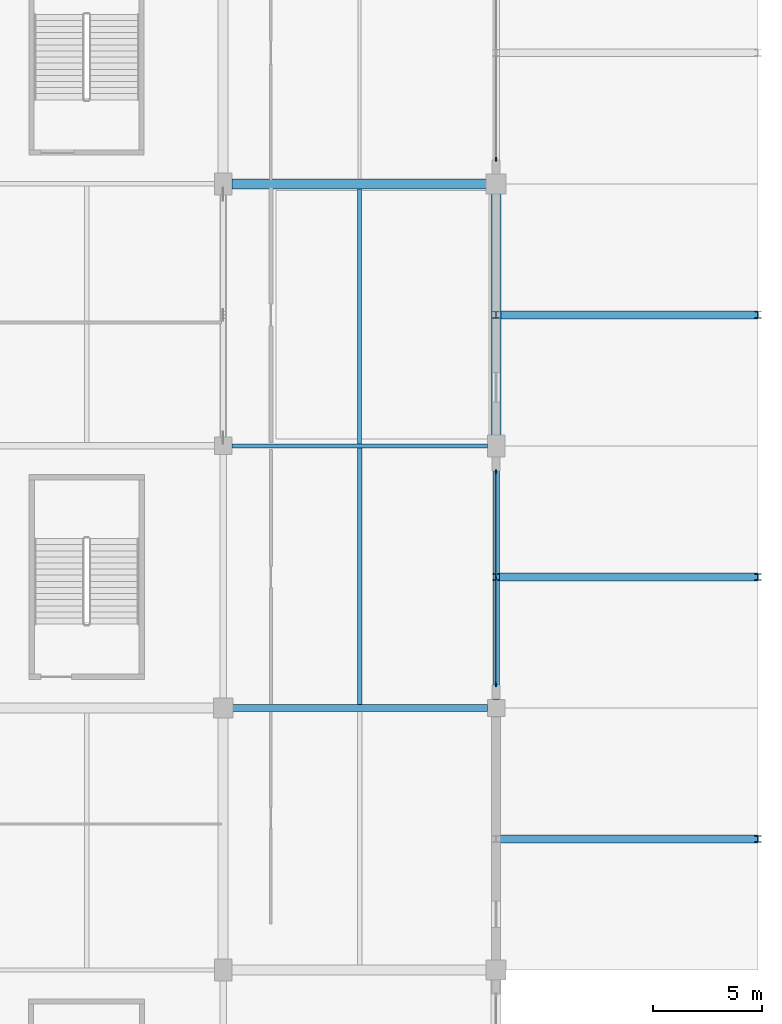
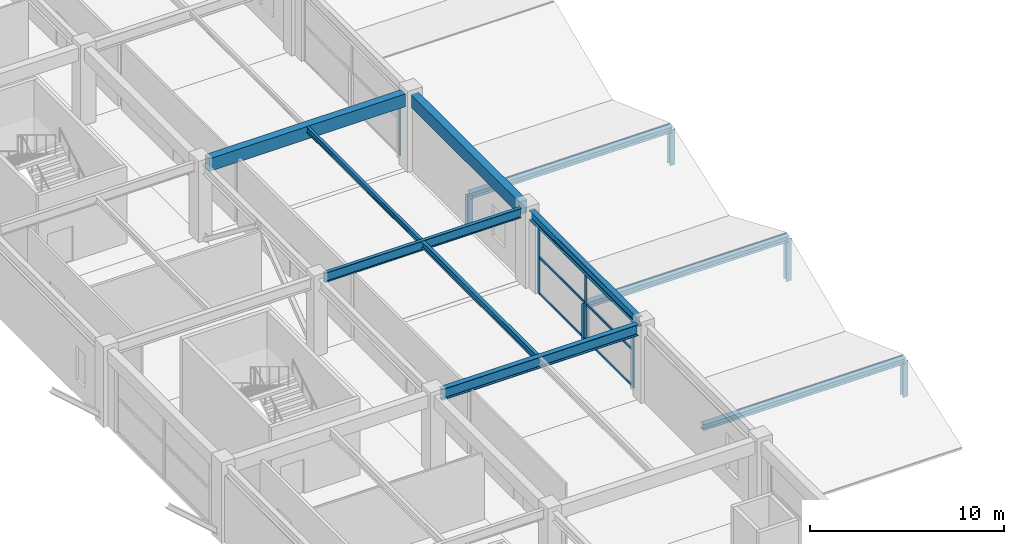
# One storey, part 37 of 116: 18 members, 7 beams, 2 elements without a shape of their own.
"""IFC4 building model written with IfcOpenShell, lengths in metres."""

from ifc_helpers import new_model, si_unit, direction, frame, origin, origin_2d, place, context, subcontext, project, spatial, rectangle, i_section, extrude, material, layer, layer_set, material_profile, profile_set, type_object, element, aggregate, save


model = new_model("IFC4")

# Units and contexts
model_context = context("Model", 3, precision=1e-05, world=origin(), true_north=direction((0.0, 1.0)))
body_context = subcontext(model_context, "Body", "Model", "MODEL_VIEW")
ifc_project = project(units=[si_unit("LENGTHUNIT", "METRE"), si_unit("AREAUNIT", "SQUARE_METRE"), si_unit("VOLUMEUNIT", "CUBIC_METRE"), si_unit("PLANEANGLEUNIT", "RADIAN"), si_unit("MASSUNIT", "GRAM", prefix="KILO")], contexts=[model_context])

# Site, building, storey
site_placement = place(None, origin())
site = spatial("IfcSite", under=ifc_project, at=site_placement, CompositionType="ELEMENT")
building_placement = place(site_placement, origin())
building = spatial("IfcBuilding", under=site, at=building_placement, Name="Kazenohara Klinker Stadium", CompositionType="ELEMENT")
storey_placement = place(building_placement, frame((0.0, 0.0, 10.199951171875)))
storey = spatial("IfcBuildingStorey", under=building, at=storey_placement, Name="L02", CompositionType="ELEMENT", Elevation=10.199951171875)

# Beams
ifc_material_1 = material(Name="Steel S355", Category="steel")
ifc_material_profile_1 = material_profile(ifc_material_1, i_section(OverallWidth=0.199951171875, OverallDepth=0.39990234375, WebThickness=0.008056640625, FlangeThickness=0.012939453125, FilletRadius=0.012939453125, at=origin_2d()), Name="H-400x200x8x13")
ifc_profile_set_1 = profile_set([ifc_material_profile_1], Name="Steel S355")
beam_type_1 = type_object("IfcBeamType", Name="BM-JST03", PredefinedType="JOIST", material=ifc_profile_set_1)
beam_1_placement = place(storey_placement, frame((193.75, 48.14990234375, 4.6201171875), z_axis=(0.0, 1.0, 0.0), x_axis=(-1.0, 0.0, 0.0)))
element("IfcBeam", 1, at=beam_1_placement, inside=storey, type_object=beam_type_1, Name="Secondary floor joist SJ03 L02 16/E", PredefinedType="JOIST", context=body_context, shape_type="SweptSolid", body=[
    extrude(i_section(OverallWidth=0.199951171875, OverallDepth=0.39990234375, WebThickness=0.008056640625, FlangeThickness=0.012939453125, FilletRadius=0.012939453125, at=origin_2d()), origin(), (0.0, 0.0, 1.0), 11.75),
])
ifc_material_profile_2 = material_profile(ifc_material_1, i_section(OverallWidth=0.175048828125, OverallDepth=0.35009765625, WebThickness=0.007080078125, FlangeThickness=0.010986328125, FilletRadius=0.012939453125, at=origin_2d()), Name="H-350x175x7x11")
ifc_profile_set_2 = profile_set([ifc_material_profile_2], Name="Steel S355")
beam_type_2 = type_object("IfcBeamType", Name="BM-JST04", PredefinedType="JOIST", material=ifc_profile_set_2)
beam_2_placement = place(storey_placement, frame((193.75, 60.10009765625, 4.64501953125), z_axis=(0.0, 1.0, 0.0), x_axis=(-1.0, 0.0, 0.0)))
element("IfcBeam", 2, at=beam_2_placement, inside=storey, type_object=beam_type_2, Name="Secondary floor joist SJ04 L02 16/F", PredefinedType="JOIST", context=body_context, shape_type="SweptSolid", body=[
    extrude(i_section(OverallWidth=0.175048828125, OverallDepth=0.35009765625, WebThickness=0.007080078125, FlangeThickness=0.010986328125, FilletRadius=0.012939453125, at=origin_2d()), origin(), (0.0, 0.0, 1.0), 11.6748046875),
])
ifc_material_2 = material(Name="Concrete C40/50", Category="concrete")
ifc_material_profile_3 = material_profile(ifc_material_2, rectangle(XDim=0.449951171875, YDim=0.800048828125, at=origin_2d()), Name="RC-BM-450x800")
ifc_profile_set_3 = profile_set([ifc_material_profile_3], Name="Concrete C40/50")
beam_type_3 = type_object("IfcBeamType", Name="BM-RC03", PredefinedType="BEAM", material=ifc_profile_set_3)
beam_3_placement = place(storey_placement, frame((187.89990234375, 72.0, 4.420166015625), z_axis=(1.0, 0.0, 0.0), x_axis=(0.0, 1.0, 0.0)))
element("IfcBeam", 3, at=beam_3_placement, inside=storey, type_object=beam_type_3, Name="Primary girder BG03 L02 16-17/G", PredefinedType="BEAM", context=body_context, shape_type="SweptSolid", body=[
    extrude(rectangle(XDim=0.449951171875, YDim=0.800048828125, at=origin_2d()), origin(), (0.0, 0.0, 1.0), 11.68017578125),
])
beam_4_placement = place(storey_placement, frame((200.0, 60.419921875, 4.420166015625), z_axis=(0.0, 1.0, 0.0), x_axis=(-1.0, 0.0, 0.0)))
element("IfcBeam", 4, at=beam_4_placement, inside=storey, type_object=beam_type_3, Name="Primary girder BG03 L02 17/F-G", PredefinedType="BEAM", context=body_context, shape_type="SweptSolid", body=[
    extrude(rectangle(XDim=0.449951171875, YDim=0.800048828125, at=origin_2d()), origin(), (0.0, 0.0, 1.0), 11.16015625),
])
ifc_material_profile_4 = material_profile(ifc_material_1, i_section(OverallWidth=0.300048828125, OverallDepth=0.699951171875, WebThickness=0.012939453125, FlangeThickness=0.02392578125, FilletRadius=0.02197265625, at=origin_2d()), Name="H-700x300x13x24")
ifc_profile_set_4 = profile_set([ifc_material_profile_4], Name="Steel S355")
beam_type_4 = type_object("IfcBeamType", Name="BM-ST03", PredefinedType="BEAM", material=ifc_profile_set_4)
beam_5_placement = place(storey_placement, frame((187.919921875, 48.0, 4.469970703125), z_axis=(1.0, 0.0, 0.0), x_axis=(0.0, 1.0, 0.0)))
element("IfcBeam", 5, at=beam_5_placement, inside=storey, type_object=beam_type_4, Name="Primary girder SB03 L02 16-17/E", PredefinedType="BEAM", context=body_context, shape_type="SweptSolid", body=[
    extrude(i_section(OverallWidth=0.300048828125, OverallDepth=0.699951171875, WebThickness=0.012939453125, FlangeThickness=0.02392578125, FilletRadius=0.02197265625, at=origin_2d()), origin(), (0.0, 0.0, 1.0), 11.68017578125),
])
ifc_material_profile_5 = material_profile(ifc_material_1, i_section(OverallWidth=0.199951171875, OverallDepth=0.60009765625, WebThickness=0.010986328125, FlangeThickness=0.01708984375, FilletRadius=0.012939453125, at=origin_2d()), Name="H-600x200x11x17")
ifc_profile_set_5 = profile_set([ifc_material_profile_5], Name="Steel S355")
beam_type_5 = type_object("IfcBeamType", Name="BM-ST04", PredefinedType="BEAM", material=ifc_profile_set_5)
beam_6_placement = place(storey_placement, frame((187.89990234375, 60.0, 4.52001953125), z_axis=(1.0, 0.0, 0.0), x_axis=(0.0, 1.0, 0.0)))
element("IfcBeam", 6, at=beam_6_placement, inside=storey, type_object=beam_type_5, Name="Primary girder SB04 L02 16-17/F", PredefinedType="BEAM", context=body_context, shape_type="SweptSolid", body=[
    extrude(i_section(OverallWidth=0.199951171875, OverallDepth=0.60009765625, WebThickness=0.010986328125, FlangeThickness=0.01708984375, FilletRadius=0.012939453125, at=origin_2d()), origin(), (0.0, 0.0, 1.0), 11.7001953125),
])
ifc_material_profile_6 = material_profile(ifc_material_1, i_section(OverallWidth=0.300048828125, OverallDepth=0.587890625, WebThickness=0.011962890625, FlangeThickness=0.02001953125, FilletRadius=0.02197265625, at=origin_2d()), Name="H-588x300x12x20")
ifc_profile_set_6 = profile_set([ifc_material_profile_6], Name="Steel S355")
beam_type_6 = type_object("IfcBeamType", Name="BM-ST05", PredefinedType="BEAM", material=ifc_profile_set_6)
beam_7_placement = place(storey_placement, frame((200.0, 48.39990234375, 4.526123046875), z_axis=(0.0, 1.0, 0.0), x_axis=(-1.0, 0.0, 0.0)))
element("IfcBeam", 7, at=beam_7_placement, inside=storey, type_object=beam_type_6, Name="Primary girder SB05 L02 17/E-F", PredefinedType="BEAM", context=body_context, shape_type="SweptSolid", body=[
    extrude(i_section(OverallWidth=0.300048828125, OverallDepth=0.587890625, WebThickness=0.011962890625, FlangeThickness=0.02001953125, FilletRadius=0.02197265625, at=origin_2d()), origin(), (0.0, 0.0, 1.0), 11.18017578125),
])

# Curtain wall, member
ifc_material_3 = material(Name="Anodised aluminium and triple glazing", Category="aluminium")
ifc_layer_1 = layer(ifc_material_3, 0.159912109375)
ifc_layer_set_1 = layer_set([ifc_layer_1], Name="Anodised aluminium and triple glazing")
curtain_wall_type_1 = type_object("IfcCurtainWallType", Name="CW-SYS-01", PredefinedType="USERDEFINED", material=ifc_layer_set_1)
curtain_wall_1_placement = place(storey_placement, origin())
curtain_wall_1 = element("IfcCurtainWall", 8, at=curtain_wall_1_placement, inside=storey, type_object=curtain_wall_type_1, Name="Unitised facade curtain wall CW01 L02 Y16-6", ObjectType="UNITISED CURTAIN WALL", PredefinedType="USERDEFINED")
ifc_material_4 = material(Name="Anodised aluminium 6063-T6", Category="aluminium")
ifc_material_profile_7 = material_profile(ifc_material_4, rectangle(XDim=0.06494140625, YDim=0.179931640625, at=origin_2d()), Name="ALU-MUL-65x180")
ifc_profile_set_7 = profile_set([ifc_material_profile_7], Name="Anodised aluminium 6063-T6")
member_type_1 = type_object("IfcMemberType", Name="CW-MUL-180", PredefinedType="MULLION", material=ifc_profile_set_7)
member_1_placement = place(storey_placement, frame((200.0, 73.136474609375, 0.0), z_axis=(0.0, 0.0, 1.0), x_axis=(-1.0, 0.0, 0.0)))
member_1 = element("IfcMember", 9, at=member_1_placement, type_object=member_type_1, Name="CW01 mullion 1", PredefinedType="MULLION", context=body_context, shape_type="SweptSolid", body=[
    extrude(rectangle(XDim=0.06494140625, YDim=0.179931640625, at=origin_2d()), origin(), (0.0, 0.0, 1.0), 4.1201171875),
])
aggregate(curtain_wall_1, [member_1])

# Curtain wall, members
ifc_layer_2 = layer(ifc_material_3, 0.18994140625)
ifc_layer_set_2 = layer_set([ifc_layer_2], Name="Anodised aluminium and triple glazing")
curtain_wall_type_2 = type_object("IfcCurtainWallType", Name="CW-SYS-05", PredefinedType="USERDEFINED", material=ifc_layer_set_2)
curtain_wall_2_placement = place(storey_placement, origin())
curtain_wall_2 = element("IfcCurtainWall", 10, at=curtain_wall_2_placement, inside=storey, type_object=curtain_wall_type_2, Name="Unitised facade curtain wall CW05 L02 Y16-4", ObjectType="UNITISED CURTAIN WALL", PredefinedType="USERDEFINED")
ifc_material_profile_8 = material_profile(ifc_material_4, rectangle(XDim=0.074951171875, YDim=0.219970703125, at=origin_2d()), Name="ALU-MUL-75x220")
ifc_profile_set_8 = profile_set([ifc_material_profile_8], Name="Anodised aluminium 6063-T6")
member_type_2 = type_object("IfcMemberType", Name="CW-MUL-220", PredefinedType="MULLION", material=ifc_profile_set_8)
member_2_placement = place(storey_placement, frame((200.0, 49.091552734375, 0.0), z_axis=(0.0, 0.0, 1.0), x_axis=(-1.0, 0.0, 0.0)))
member_2 = element("IfcMember", 11, at=member_2_placement, type_object=member_type_2, Name="CW05 mullion 1", PredefinedType="MULLION", context=body_context, shape_type="SweptSolid", body=[
    extrude(rectangle(XDim=0.074951171875, YDim=0.219970703125, at=origin_2d()), origin(), (0.0, 0.0, 1.0), 4.23193359375),
])
member_3_placement = place(storey_placement, frame((200.0, 53.949951171875, 0.0), z_axis=(0.0, 0.0, 1.0), x_axis=(-1.0, 0.0, 0.0)))
member_3 = element("IfcMember", 12, at=member_3_placement, type_object=member_type_2, Name="CW05 mullion 2", PredefinedType="MULLION", context=body_context, shape_type="SweptSolid", body=[
    extrude(rectangle(XDim=0.074951171875, YDim=0.219970703125, at=origin_2d()), origin(), (0.0, 0.0, 1.0), 4.23193359375),
])
member_4_placement = place(storey_placement, frame((200.0, 58.80859375, 0.0), z_axis=(0.0, 0.0, 1.0), x_axis=(-1.0, 0.0, 0.0)))
member_4 = element("IfcMember", 13, at=member_4_placement, type_object=member_type_2, Name="CW05 mullion 3", PredefinedType="MULLION", context=body_context, shape_type="SweptSolid", body=[
    extrude(rectangle(XDim=0.074951171875, YDim=0.219970703125, at=origin_2d()), origin(), (0.0, 0.0, 1.0), 4.23193359375),
])
ifc_material_profile_9 = material_profile(ifc_material_4, rectangle(XDim=0.074951171875, YDim=0.159912109375, at=origin_2d()), Name="ALU-TRN-75x160")
ifc_profile_set_9 = profile_set([ifc_material_profile_9], Name="Anodised aluminium 6063-T6")
member_type_3 = type_object("IfcMemberType", Name="CW-TRN-160", PredefinedType="USERDEFINED", material=ifc_profile_set_9)
member_5_placement = place(storey_placement, frame((200.0, 49.12890625, 0.03759765625), z_axis=(0.0, 1.0, 0.0), x_axis=(-1.0, 0.0, 0.0)))
member_5 = element("IfcMember", 14, at=member_5_placement, type_object=member_type_3, Name="CW05 transom 1.1", ObjectType="TRANSOM", PredefinedType="USERDEFINED", context=body_context, shape_type="SweptSolid", body=[
    extrude(rectangle(XDim=0.074951171875, YDim=0.159912109375, at=origin_2d()), origin(), (0.0, 0.0, 1.0), 4.78369140625),
])
member_6_placement = place(storey_placement, frame((200.0, 49.12890625, 2.32763671875), z_axis=(0.0, 1.0, 0.0), x_axis=(-1.0, 0.0, 0.0)))
member_6 = element("IfcMember", 15, at=member_6_placement, type_object=member_type_3, Name="CW05 transom 1.2", ObjectType="TRANSOM", PredefinedType="USERDEFINED", context=body_context, shape_type="SweptSolid", body=[
    extrude(rectangle(XDim=0.074951171875, YDim=0.159912109375, at=origin_2d()), origin(), (0.0, 0.0, 1.0), 4.78369140625),
])
member_7_placement = place(storey_placement, frame((200.0, 49.12890625, 4.194580078125), z_axis=(0.0, 1.0, 0.0), x_axis=(-1.0, 0.0, 0.0)))
member_7 = element("IfcMember", 16, at=member_7_placement, type_object=member_type_3, Name="CW05 transom 1.3", ObjectType="TRANSOM", PredefinedType="USERDEFINED", context=body_context, shape_type="SweptSolid", body=[
    extrude(rectangle(XDim=0.074951171875, YDim=0.159912109375, at=origin_2d()), origin(), (0.0, 0.0, 1.0), 4.78369140625),
])
member_8_placement = place(storey_placement, frame((200.0, 53.987548828125, 0.03759765625), z_axis=(0.0, 1.0, 0.0), x_axis=(-1.0, 0.0, 0.0)))
member_8 = element("IfcMember", 17, at=member_8_placement, type_object=member_type_3, Name="CW05 transom 2.1", ObjectType="TRANSOM", PredefinedType="USERDEFINED", context=body_context, shape_type="SweptSolid", body=[
    extrude(rectangle(XDim=0.074951171875, YDim=0.159912109375, at=origin_2d()), origin(), (0.0, 0.0, 1.0), 4.783447265625),
])
member_9_placement = place(storey_placement, frame((200.0, 53.987548828125, 2.32763671875), z_axis=(0.0, 1.0, 0.0), x_axis=(-1.0, 0.0, 0.0)))
member_9 = element("IfcMember", 18, at=member_9_placement, type_object=member_type_3, Name="CW05 transom 2.2", ObjectType="TRANSOM", PredefinedType="USERDEFINED", context=body_context, shape_type="SweptSolid", body=[
    extrude(rectangle(XDim=0.074951171875, YDim=0.159912109375, at=origin_2d()), origin(), (0.0, 0.0, 1.0), 4.783447265625),
])
member_10_placement = place(storey_placement, frame((200.0, 53.987548828125, 4.194580078125), z_axis=(0.0, 1.0, 0.0), x_axis=(-1.0, 0.0, 0.0)))
member_10 = element("IfcMember", 19, at=member_10_placement, type_object=member_type_3, Name="CW05 transom 2.3", ObjectType="TRANSOM", PredefinedType="USERDEFINED", context=body_context, shape_type="SweptSolid", body=[
    extrude(rectangle(XDim=0.074951171875, YDim=0.159912109375, at=origin_2d()), origin(), (0.0, 0.0, 1.0), 4.783447265625),
])
aggregate(curtain_wall_2, [member_2, member_3, member_4, member_5, member_6, member_7, member_8, member_9, member_10])

# Members
ifc_material_profile_10 = material_profile(ifc_material_1, i_section(OverallWidth=0.35009765625, OverallDepth=0.35009765625, WebThickness=0.011962890625, FlangeThickness=0.01904296875, FilletRadius=0.012939453125, at=origin_2d()), Name="H-350x350x12x19")
ifc_profile_set_10 = profile_set([ifc_material_profile_10], Name="Steel S355")
member_type_4 = type_object("IfcMemberType", Name="MEM-CHD02", PredefinedType="CHORD", material=ifc_profile_set_10)
for number, where, z_axis, x_axis, name in (
    (20, (200.0, 42.0, 1.830078125), (1.0, 0.0, 0.0), (0.0, 1.0, 0.0), "Stepped pavilion gable ridge beam L02 17/D"),
    (21, (200.0, 54.0, 2.22998046875), (1.0, 0.0, 0.0), (0.0, 1.0, 0.0), "Stepped pavilion gable ridge beam L02 17/E"),
    (22, (200.0, 66.0, 1.830078125), (1.0, 0.0, 0.0), (0.0, 1.0, 0.0), "Stepped pavilion gable ridge beam L02 17/F"),
):
    element("IfcMember", number, at=place(storey_placement, frame(where, z_axis=z_axis, x_axis=x_axis)), inside=storey, type_object=member_type_4, Name=name, PredefinedType="CHORD", context=body_context, shape_type="SweptSolid", body=[
        extrude(i_section(OverallWidth=0.35009765625, OverallDepth=0.35009765625, WebThickness=0.011962890625, FlangeThickness=0.01904296875, FilletRadius=0.012939453125, at=origin_2d()), origin(), (0.0, 0.0, 1.0), 12.0),
    ])
ifc_material_profile_11 = material_profile(ifc_material_1, i_section(OverallWidth=0.300048828125, OverallDepth=0.300048828125, WebThickness=0.010009765625, FlangeThickness=0.014892578125, FilletRadius=0.012939453125, at=origin_2d()), Name="H-300x300x10x15")
ifc_profile_set_11 = profile_set([ifc_material_profile_11], Name="Steel S355")
member_type_5 = type_object("IfcMemberType", Name="MEM-STR01", PredefinedType="STRUT", material=ifc_profile_set_11)
member_11_placement = place(storey_placement, frame((200.0, 54.0, -0.429931640625), z_axis=(0.0, 0.0, 1.0), x_axis=(1.0, 0.0, 0.0)))
element("IfcMember", 23, at=member_11_placement, inside=storey, type_object=member_type_5, Name="Stepped pavilion gable king-post L02 17/E W", PredefinedType="STRUT", context=body_context, shape_type="SweptSolid", body=[
    extrude(i_section(OverallWidth=0.300048828125, OverallDepth=0.300048828125, WebThickness=0.010009765625, FlangeThickness=0.014892578125, FilletRadius=0.012939453125, at=origin_2d()), origin(), (0.0, 0.0, 1.0), 2.659912109375),
])
for number, where, z_axis, x_axis, name in (
    (24, (200.0, 66.0, -0.429931640625), (0.0, 0.0, 1.0), (1.0, 0.0, 0.0), "Stepped pavilion gable king-post L02 17/F W"),
    (25, (212.0, 42.0, -0.429931640625), (0.0, 0.0, 1.0), (1.0, 0.0, 0.0), "Stepped pavilion gable king-post L02 17/D E"),
):
    element("IfcMember", number, at=place(storey_placement, frame(where, z_axis=z_axis, x_axis=x_axis)), inside=storey, type_object=member_type_5, Name=name, PredefinedType="STRUT", context=body_context, shape_type="SweptSolid", body=[
        extrude(i_section(OverallWidth=0.300048828125, OverallDepth=0.300048828125, WebThickness=0.010009765625, FlangeThickness=0.014892578125, FilletRadius=0.012939453125, at=origin_2d()), origin(), (0.0, 0.0, 1.0), 2.260009765625),
    ])
member_12_placement = place(storey_placement, frame((212.0, 54.0, -0.429931640625), z_axis=(0.0, 0.0, 1.0), x_axis=(1.0, 0.0, 0.0)))
element("IfcMember", 26, at=member_12_placement, inside=storey, type_object=member_type_5, Name="Stepped pavilion gable king-post L02 17/E E", PredefinedType="STRUT", context=body_context, shape_type="SweptSolid", body=[
    extrude(i_section(OverallWidth=0.300048828125, OverallDepth=0.300048828125, WebThickness=0.010009765625, FlangeThickness=0.014892578125, FilletRadius=0.012939453125, at=origin_2d()), origin(), (0.0, 0.0, 1.0), 2.659912109375),
])
member_13_placement = place(storey_placement, frame((212.0, 66.0, -0.429931640625), z_axis=(0.0, 0.0, 1.0), x_axis=(1.0, 0.0, 0.0)))
element("IfcMember", 27, at=member_13_placement, inside=storey, type_object=member_type_5, Name="Stepped pavilion gable king-post L02 17/F E", PredefinedType="STRUT", context=body_context, shape_type="SweptSolid", body=[
    extrude(i_section(OverallWidth=0.300048828125, OverallDepth=0.300048828125, WebThickness=0.010009765625, FlangeThickness=0.014892578125, FilletRadius=0.012939453125, at=origin_2d()), origin(), (0.0, 0.0, 1.0), 2.260009765625),
])

save(model, "model.ifc")
